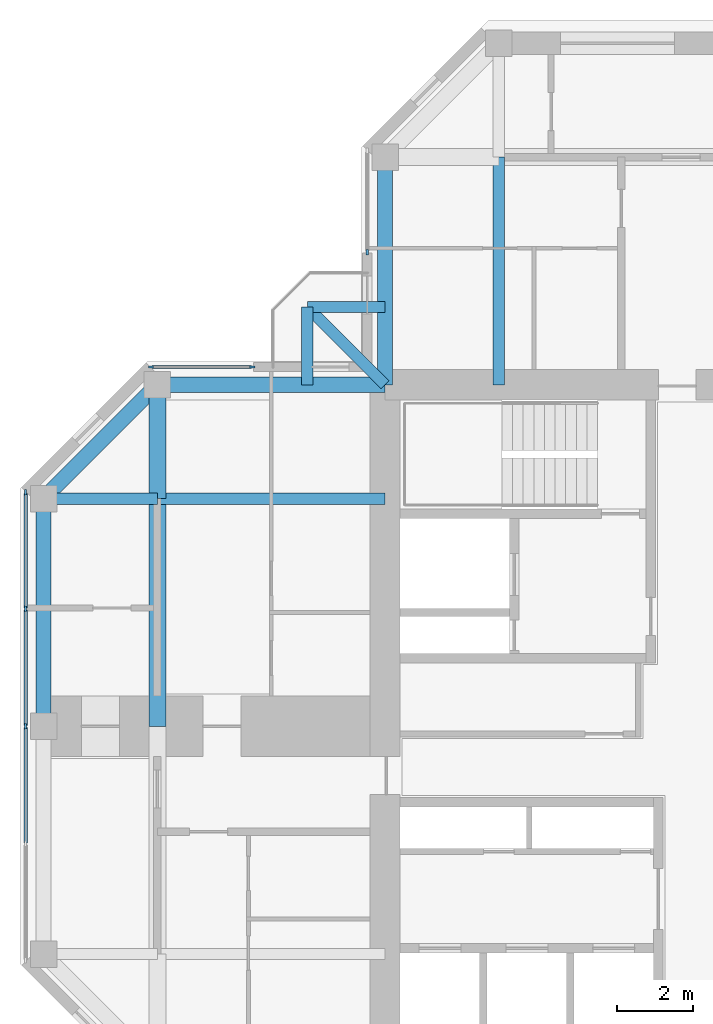
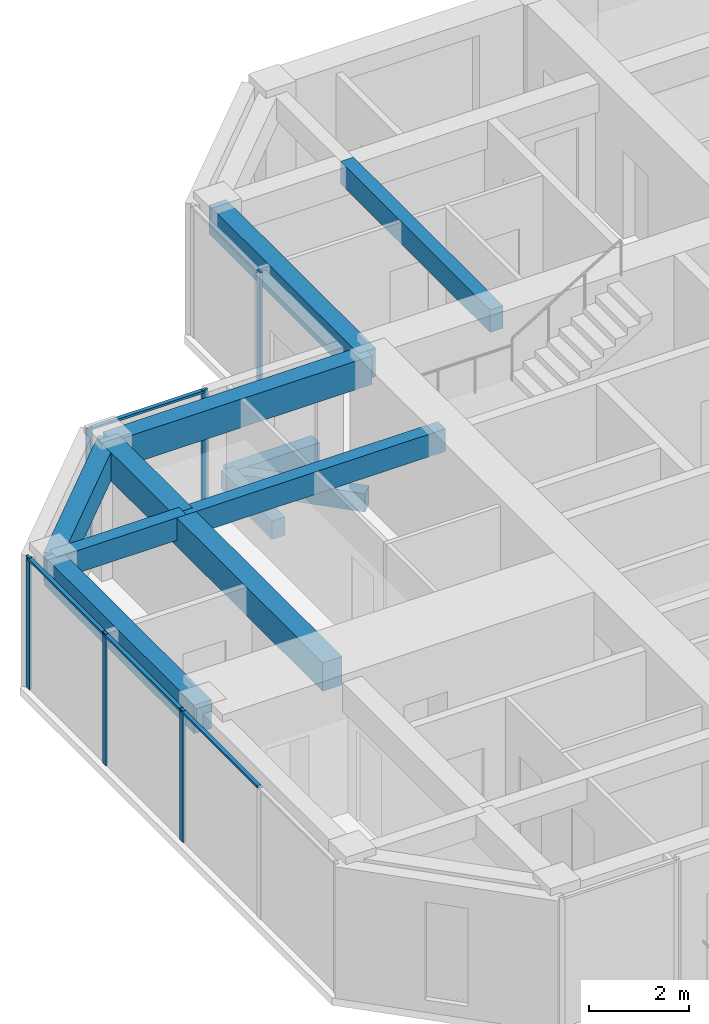
# One storey, part 4 of 13: 12 beams, 10 members, 3 elements without a shape of their own.
"""IFC4 building model written with IfcOpenShell, lengths in metres."""

from ifc_helpers import new_model, si_unit, direction, frame, origin, origin_2d, place, context, subcontext, project, spatial, rectangle, extrude, material, material_profile, profile_set, type_object, element, aggregate, save


model = new_model("IFC4")

# Units and contexts
model_context = context("Model", 3, precision=1e-05, world=origin(), true_north=direction((0.0, 1.0)))
body_context = subcontext(model_context, "Body", "Model", "MODEL_VIEW")
ifc_project = project(units=[si_unit("LENGTHUNIT", "METRE"), si_unit("AREAUNIT", "SQUARE_METRE"), si_unit("VOLUMEUNIT", "CUBIC_METRE"), si_unit("PLANEANGLEUNIT", "RADIAN"), si_unit("MASSUNIT", "GRAM", prefix="KILO")], contexts=[model_context])

# Site, building, storey
site_placement = place(None, origin())
site = spatial("IfcSite", under=ifc_project, at=site_placement, CompositionType="ELEMENT")
building_placement = place(site_placement, origin())
building = spatial("IfcBuilding", under=site, at=building_placement, Name="Torre Cruceta", CompositionType="ELEMENT")
storey_placement = place(building_placement, frame((0.0, 0.0, 264.5)))
storey = spatial("IfcBuildingStorey", under=building, at=storey_placement, Name="L68", CompositionType="ELEMENT", Elevation=264.5)

# Beams
ifc_material_1 = material(Name="Concrete G60 (fck 60 MPa)", Category="concrete")
ifc_material_profile_1 = material_profile(ifc_material_1, rectangle(XDim=0.300048828125, YDim=0.449951171875, at=origin_2d()), Name="RC 300X450")
ifc_profile_set_1 = profile_set([ifc_material_profile_1], Name="Concrete G60 (fck 60 MPa)")
beam_type_1 = type_object("IfcBeamType", Name="BALCONY CANTILEVER BEAM RC 300X450", PredefinedType="BEAM", material=ifc_profile_set_1)
beam_1_placement = place(storey_placement, frame((-9.0, 9.0, -0.405029296875), z_axis=(-0.707106781187, 0.707106781187, 0.0), x_axis=(-0.707106781187, -0.707106781187, 0.0)))
element("IfcBeam", 1, at=beam_1_placement, inside=storey, type_object=beam_type_1, Name="BB1 balcony beam L68 N", PredefinedType="BEAM", context=body_context, shape_type="SweptSolid", body=[
    extrude(rectangle(XDim=0.300048828125, YDim=0.449951171875, at=origin_2d()), origin(), (0.0, 0.0, 1.0), 2.89990234375),
])
for number, where, z_axis, x_axis, name in (
    (2, (-11.050537109375, 9.0, -0.405029296875), (0.0, 1.0, 0.0), (-1.0, 0.0, 0.0), "BB1 balcony edge beam L68 N-X"),
    (3, (-9.0, 11.050537109375, -0.405029296875), (-1.0, 0.0, 0.0), (0.0, -1.0, 0.0), "BB1 balcony edge beam L68 N-Y"),
):
    element("IfcBeam", number, at=place(storey_placement, frame(where, z_axis=z_axis, x_axis=x_axis)), inside=storey, type_object=beam_type_1, Name=name, PredefinedType="BEAM", context=body_context, shape_type="SweptSolid", body=[
        extrude(rectangle(XDim=0.300048828125, YDim=0.449951171875, at=origin_2d()), origin(), (0.0, 0.0, 1.0), 2.050537109375),
    ])
ifc_material_2 = material(Name="Concrete G60 (fck 60 MPa)", Category="concrete")
ifc_material_profile_2 = material_profile(ifc_material_2, rectangle(XDim=0.300048828125, YDim=0.550048828125, at=origin_2d()), Name="RC 300X550")
ifc_profile_set_2 = profile_set([ifc_material_profile_2], Name="Concrete G60 (fck 60 MPa)")
beam_type_2 = type_object("IfcBeamType", Name="COLUMN LINE BEAM RC 300X550", PredefinedType="BEAM", material=ifc_profile_set_2)
for number, where, z_axis, x_axis, name in (
    (4, (-6.0, 9.0, 2.945068359375), (0.0, 1.0, 0.0), (-1.0, 0.0, 0.0), "LB10 L68 N col+ 1"),
    (5, (-9.0, 6.0, 2.945068359375), (-1.0, 0.0, 0.0), (0.0, -1.0, 0.0), "LB10 L68 W col- 1"),
):
    element("IfcBeam", number, at=place(storey_placement, frame(where, z_axis=z_axis, x_axis=x_axis)), inside=storey, type_object=beam_type_2, Name=name, PredefinedType="BEAM", context=body_context, shape_type="SweptSolid", body=[
        extrude(rectangle(XDim=0.300048828125, YDim=0.550048828125, at=origin_2d()), origin(), (0.0, 0.0, 1.0), 6.0),
    ])
beam_2_placement = place(storey_placement, frame((-15.0, 6.0, 2.945068359375), z_axis=(-1.0, 0.0, 0.0), x_axis=(0.0, -1.0, 0.0)))
element("IfcBeam", 6, at=beam_2_placement, inside=storey, type_object=beam_type_2, Name="LB10 L68 W col- 2", PredefinedType="BEAM", context=body_context, shape_type="SweptSolid", body=[
    extrude(rectangle(XDim=0.300048828125, YDim=0.550048828125, at=origin_2d()), origin(), (0.0, 0.0, 1.0), 3.0),
])
ifc_material_3 = material(Name="Concrete G60 (fck 60 MPa)", Category="concrete")
ifc_material_profile_3 = material_profile(ifc_material_3, rectangle(XDim=0.449951171875, YDim=0.699951171875, at=origin_2d()), Name="RC 450X700")
ifc_profile_set_3 = profile_set([ifc_material_profile_3], Name="Concrete G60 (fck 60 MPa)")
beam_type_3 = type_object("IfcBeamType", Name="CROSS BEAM RC 450X700", PredefinedType="BEAM", material=ifc_profile_set_3)
beam_3_placement = place(storey_placement, frame((-15.0, 9.0, 2.8701171875), z_axis=(0.0, -1.0, 0.0), x_axis=(1.0, 0.0, 0.0)))
element("IfcBeam", 7, at=beam_3_placement, inside=storey, type_object=beam_type_3, Name="GB8 L68 W cross15 1", PredefinedType="BEAM", context=body_context, shape_type="SweptSolid", body=[
    extrude(rectangle(XDim=0.449951171875, YDim=0.699951171875, at=origin_2d()), origin(), (0.0, 0.0, 1.0), 3.0),
])
beam_4_placement = place(storey_placement, frame((-15.0, 6.0, 2.8701171875), z_axis=(0.0, -1.0, 0.0), x_axis=(1.0, 0.0, 0.0)))
element("IfcBeam", 8, at=beam_4_placement, inside=storey, type_object=beam_type_3, Name="GB8 L68 W cross15 2", PredefinedType="BEAM", context=body_context, shape_type="SweptSolid", body=[
    extrude(rectangle(XDim=0.449951171875, YDim=0.699951171875, at=origin_2d()), origin(), (0.0, 0.0, 1.0), 6.0),
])

# Curtain wall, member
ifc_material_4 = material(Name="Aluminium unitised curtain wall", Category="aluminium")
curtain_wall_type = type_object("IfcCurtainWallType", Name="CURTAIN WALL CW-E CO-LIVING TOP", PredefinedType="USERDEFINED", material=ifc_material_4)
curtain_wall_1_placement = place(storey_placement, origin())
curtain_wall_1 = element("IfcCurtainWall", 9, at=curtain_wall_1_placement, inside=storey, type_object=curtain_wall_type, Name="CW-E L68 N side 09", ObjectType="UNITISED", PredefinedType="USERDEFINED")
ifc_material_5 = material(Name="Aluminium mullion", Category="aluminium")
ifc_material_profile_4 = material_profile(ifc_material_5, rectangle(XDim=0.054931640625, YDim=0.139892578125, at=origin_2d()), Name="AL 55X140")
ifc_profile_set_4 = profile_set([ifc_material_profile_4], Name="Aluminium mullion")
member_type_1 = type_object("IfcMemberType", Name="CW-E MULLION 55X140", PredefinedType="MULLION", material=ifc_profile_set_4)
member_1_placement = place(storey_placement, frame((-9.469970703125, 12.49755859375, 0.0), z_axis=(0.0, 0.0, 1.0), x_axis=(1.0, 0.0, 0.0)))
member_1 = element("IfcMember", 10, at=member_1_placement, type_object=member_type_1, Name="CW-E mullion 2", PredefinedType="MULLION", context=body_context, shape_type="SweptSolid", body=[
    extrude(rectangle(XDim=0.054931640625, YDim=0.139892578125, at=origin_2d()), origin(), (0.0, 0.0, 1.0), 3.219970703125),
])
aggregate(curtain_wall_1, [member_1])

# Curtain wall, members
curtain_wall_2_placement = place(storey_placement, origin())
curtain_wall_2 = element("IfcCurtainWall", 11, at=curtain_wall_2_placement, inside=storey, type_object=curtain_wall_type, Name="CW-E L68 W side 10", ObjectType="UNITISED", PredefinedType="USERDEFINED")
member_2_placement = place(storey_placement, frame((-12.49755859375, 9.469970703125, 0.0), z_axis=(0.0, 0.0, 1.0), x_axis=(0.0, -1.0, 0.0)))
member_2 = element("IfcMember", 12, at=member_2_placement, type_object=member_type_1, Name="CW-E mullion 1", PredefinedType="MULLION", context=body_context, shape_type="SweptSolid", body=[
    extrude(rectangle(XDim=0.054931640625, YDim=0.139892578125, at=origin_2d()), origin(), (0.0, 0.0, 1.0), 3.219970703125),
])
member_3_placement = place(storey_placement, frame((-15.167236328125, 9.469970703125, 0.0), z_axis=(0.0, 0.0, 1.0), x_axis=(0.0, -1.0, 0.0)))
member_3 = element("IfcMember", 13, at=member_3_placement, type_object=member_type_1, Name="CW-E mullion 2", PredefinedType="MULLION", context=body_context, shape_type="SweptSolid", body=[
    extrude(rectangle(XDim=0.054931640625, YDim=0.139892578125, at=origin_2d()), origin(), (0.0, 0.0, 1.0), 3.219970703125),
])

curtain_wall_3_placement = place(storey_placement, origin())
curtain_wall_3 = element("IfcCurtainWall", 14, at=curtain_wall_3_placement, inside=storey, type_object=curtain_wall_type, Name="CW-E L68 W tip 12", ObjectType="UNITISED", PredefinedType="USERDEFINED")
member_4_placement = place(storey_placement, frame((-18.469970703125, 6.167236328125, 0.0), z_axis=(0.0, 0.0, 1.0), x_axis=(1.0, 0.0, 0.0)))
member_4 = element("IfcMember", 15, at=member_4_placement, type_object=member_type_1, Name="CW-E mullion 1", PredefinedType="MULLION", context=body_context, shape_type="SweptSolid", body=[
    extrude(rectangle(XDim=0.054931640625, YDim=0.139892578125, at=origin_2d()), origin(), (0.0, 0.0, 1.0), 3.219970703125),
])
member_5_placement = place(storey_placement, frame((-18.469970703125, 3.097412109375, 0.0), z_axis=(0.0, 0.0, 1.0), x_axis=(1.0, 0.0, 0.0)))
member_5 = element("IfcMember", 16, at=member_5_placement, type_object=member_type_1, Name="CW-E mullion 2", PredefinedType="MULLION", context=body_context, shape_type="SweptSolid", body=[
    extrude(rectangle(XDim=0.054931640625, YDim=0.139892578125, at=origin_2d()), origin(), (0.0, 0.0, 1.0), 3.219970703125),
])
member_6_placement = place(storey_placement, frame((-18.469970703125, 0.0, 0.0), z_axis=(0.0, 0.0, 1.0), x_axis=(1.0, 0.0, 0.0)))
member_6 = element("IfcMember", 17, at=member_6_placement, type_object=member_type_1, Name="CW-E mullion 3", PredefinedType="MULLION", context=body_context, shape_type="SweptSolid", body=[
    extrude(rectangle(XDim=0.054931640625, YDim=0.139892578125, at=origin_2d()), origin(), (0.0, 0.0, 1.0), 3.219970703125),
])

# Member
ifc_material_6 = material(Name="Aluminium transom", Category="aluminium")
ifc_material_profile_5 = material_profile(ifc_material_6, rectangle(XDim=0.090087890625, YDim=0.054931640625, at=origin_2d()), Name="AL 90X55")
ifc_profile_set_5 = profile_set([ifc_material_profile_5], Name="Aluminium transom")
member_type_2 = type_object("IfcMemberType", Name="CW-E TRANSOM 55X90", PredefinedType="USERDEFINED", material=ifc_profile_set_5)
member_7_placement = place(storey_placement, frame((-12.52490234375, 9.469970703125, 3.1923828125), z_axis=(-1.0, 0.0, 0.0), x_axis=(0.0, -1.0, 0.0)))
member_7 = element("IfcMember", 18, at=member_7_placement, type_object=member_type_2, Name="CW-E transom 1", ObjectType="TRANSOM", PredefinedType="USERDEFINED", context=body_context, shape_type="SweptSolid", body=[
    extrude(rectangle(XDim=0.090087890625, YDim=0.054931640625, at=origin_2d()), origin(), (0.0, 0.0, 1.0), 2.61474609375),
])

aggregate(curtain_wall_2, [member_2, member_3, member_7])

member_8_placement = place(storey_placement, frame((-18.469970703125, 6.1396484375, 3.1923828125), z_axis=(0.0, -1.0, 0.0), x_axis=(1.0, 0.0, 0.0)))
member_8 = element("IfcMember", 19, at=member_8_placement, type_object=member_type_2, Name="CW-E transom 1", ObjectType="TRANSOM", PredefinedType="USERDEFINED", context=body_context, shape_type="SweptSolid", body=[
    extrude(rectangle(XDim=0.090087890625, YDim=0.054931640625, at=origin_2d()), origin(), (0.0, 0.0, 1.0), 3.014892578125),
])

member_9_placement = place(storey_placement, frame((-18.469970703125, 3.06982421875, 3.1923828125), z_axis=(0.0, -1.0, 0.0), x_axis=(1.0, 0.0, 0.0)))
member_9 = element("IfcMember", 20, at=member_9_placement, type_object=member_type_2, Name="CW-E transom 2", ObjectType="TRANSOM", PredefinedType="USERDEFINED", context=body_context, shape_type="SweptSolid", body=[
    extrude(rectangle(XDim=0.090087890625, YDim=0.054931640625, at=origin_2d()), origin(), (0.0, 0.0, 1.0), 3.042236328125),
])

member_10_placement = place(storey_placement, frame((-18.469970703125, -0.027587890625, 3.1923828125), z_axis=(0.0, -1.0, 0.0), x_axis=(1.0, 0.0, 0.0)))
member_10 = element("IfcMember", 21, at=member_10_placement, type_object=member_type_2, Name="CW-E transom 3", ObjectType="TRANSOM", PredefinedType="USERDEFINED", context=body_context, shape_type="SweptSolid", body=[
    extrude(rectangle(XDim=0.090087890625, YDim=0.054931640625, at=origin_2d()), origin(), (0.0, 0.0, 1.0), 3.042236328125),
])

aggregate(curtain_wall_3, [member_4, member_5, member_6, member_8, member_9, member_10])

# Beams
ifc_material_7 = material(Name="Concrete G60 (fck 60 MPa)", Category="concrete")
ifc_material_profile_6 = material_profile(ifc_material_7, rectangle(XDim=0.39990234375, YDim=0.699951171875, at=origin_2d()), Name="RC 400X700")
ifc_profile_set_6 = profile_set([ifc_material_profile_6], Name="Concrete G60 (fck 60 MPa)")
beam_type_4 = type_object("IfcBeamType", Name="SPANDREL BEAM RC 400X700", PredefinedType="SPANDREL", material=ifc_profile_set_6)
for number, where, z_axis, x_axis, name in (
    (22, (-9.0, 9.0, 2.8701171875), (0.0, 1.0, 0.0), (-1.0, 0.0, 0.0), "SB8 L68 N side+ 1"),
    (23, (-9.0, 9.0, 2.8701171875), (-1.0, 0.0, 0.0), (0.0, -1.0, 0.0), "SB8 L68 W side- 1"),
):
    element("IfcBeam", number, at=place(storey_placement, frame(where, z_axis=z_axis, x_axis=x_axis)), inside=storey, type_object=beam_type_4, Name=name, PredefinedType="SPANDREL", context=body_context, shape_type="SweptSolid", body=[
        extrude(rectangle(XDim=0.39990234375, YDim=0.699951171875, at=origin_2d()), origin(), (0.0, 0.0, 1.0), 6.0),
    ])
beam_5_placement = place(storey_placement, frame((-15.0, 9.0, 2.8701171875), z_axis=(-0.707106781187, -0.707106781187, 0.0), x_axis=(0.707106781187, -0.707106781187, 0.0)))
element("IfcBeam", 24, at=beam_5_placement, inside=storey, type_object=beam_type_4, Name="SB8 L68 W side- 2", PredefinedType="SPANDREL", context=body_context, shape_type="SweptSolid", body=[
    extrude(rectangle(XDim=0.39990234375, YDim=0.699951171875, at=origin_2d()), origin(), (0.0, 0.0, 1.0), 4.24267578125),
])
beam_6_placement = place(storey_placement, frame((-18.0, 6.0, 2.8701171875), z_axis=(0.0, -1.0, 0.0), x_axis=(1.0, 0.0, 0.0)))
element("IfcBeam", 25, at=beam_6_placement, inside=storey, type_object=beam_type_4, Name="SB8 L68 W tip 1", PredefinedType="SPANDREL", context=body_context, shape_type="SweptSolid", body=[
    extrude(rectangle(XDim=0.39990234375, YDim=0.699951171875, at=origin_2d()), origin(), (0.0, 0.0, 1.0), 6.0),
])

save(model, "model.ifc")
